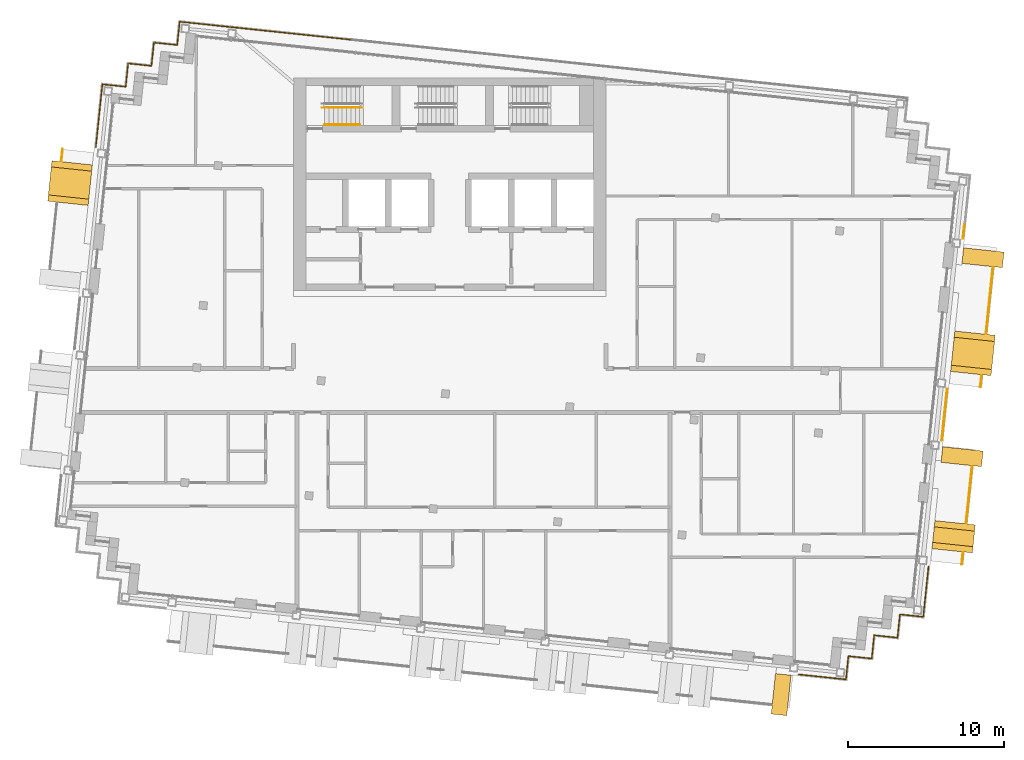
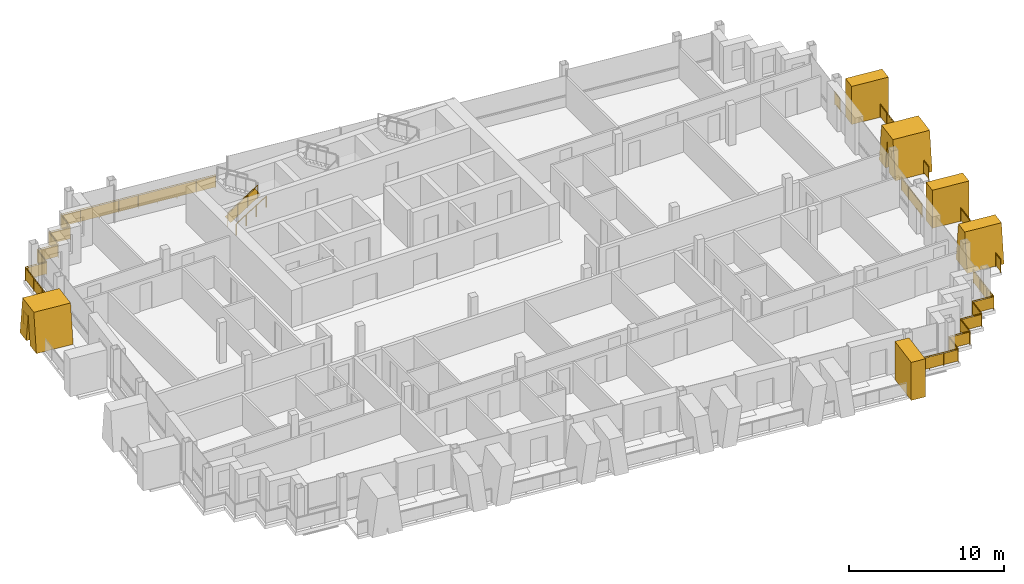
# One storey, part 14 of 16: 13 railings, 6 shading devices.
"""IFC4 building model written with IfcOpenShell, lengths in metres."""

from ifc_helpers import new_model, si_unit, direction, frame, origin, origin_2d, place, context, subcontext, project, spatial, polyline, rectangle, circle, outline, extrude, material, layer, layer_set, type_object, element, save


model = new_model("IFC4")

# Units and contexts
model_context = context("Model", 3, precision=1e-05, world=origin(), true_north=direction((0.0, 1.0)))
body_context = subcontext(model_context, "Body", "Model", "MODEL_VIEW")
ifc_project = project(units=[si_unit("LENGTHUNIT", "METRE"), si_unit("AREAUNIT", "SQUARE_METRE"), si_unit("VOLUMEUNIT", "CUBIC_METRE"), si_unit("PLANEANGLEUNIT", "RADIAN"), si_unit("MASSUNIT", "GRAM", prefix="KILO")], contexts=[model_context])

# Site, building, storey
site_placement = place(None, origin())
site = spatial("IfcSite", under=ifc_project, at=site_placement, CompositionType="ELEMENT")
building_placement = place(site_placement, origin())
building = spatial("IfcBuilding", under=site, at=building_placement, Name="Vidyagriha Tower", CompositionType="ELEMENT")
storey_placement = place(building_placement, frame((0.0, 0.0, 259.5)))
storey = spatial("IfcBuildingStorey", under=building, at=storey_placement, Name="L67", CompositionType="ELEMENT", Elevation=259.5)

# Railings
ifc_material_1 = material(Name="Steel ASTM A500 Grade C black painted", Category="steel")
railing_type_1 = type_object("IfcRailingType", Name="Balcony guard 1100", PredefinedType="BALUSTRADE", material=ifc_material_1)
railing_1_placement = place(storey_placement, frame((-24.7763671875, 15.435302734375, 0.0)))
element("IfcRailing", 1, at=railing_1_placement, inside=storey, type_object=railing_type_1, Name="Balcony guard L67 R14.1-1", PredefinedType="BALUSTRADE", context=body_context, shape_type="SweptSolid", body=[
    extrude(circle(Radius=0.02490234375, at=origin_2d()), frame((0.0, 0.0, 1.0751953125), z_axis=(-0.104464556241, -0.994528610192, 0.0), x_axis=(0.994528610192, -0.104464556241, 0.0)), (0.0, 0.0, 1.0), 0.750244140625),
    extrude(circle(Radius=0.02001953125, at=origin_2d()), origin(), (0.0, 0.0, 1.0), 1.050048828125),
    extrude(circle(Radius=0.02001953125, at=origin_2d()), frame((-0.078369140625, -0.74609375, 0.0)), (0.0, 0.0, 1.0), 1.050048828125),
    extrude(rectangle(XDim=0.010009765625, YDim=0.900146484375, at=origin_2d()), frame((0.0, 0.0, 0.550048828125), z_axis=(-0.104464556241, -0.994528610192, 0.0), x_axis=(0.994528610192, -0.104464556241, 0.0)), (0.0, 0.0, 1.0), 0.750244140625),
])
railing_2_placement = place(storey_placement, frame((32.762451171875, -11.124755859375, 0.0)))
element("IfcRailing", 2, at=railing_2_placement, inside=storey, type_object=railing_type_1, Name="Balcony guard L67 R28.1-1", PredefinedType="BALUSTRADE", context=body_context, shape_type="SweptSolid", body=[
    extrude(circle(Radius=0.02490234375, at=origin_2d()), frame((0.0, 0.0, 1.0751953125), z_axis=(0.104498377516, 0.994525057048, 0.0), x_axis=(-0.994525057048, 0.104498377516, 0.0)), (0.0, 0.0, 1.0), 0.75),
    extrude(circle(Radius=0.02001953125, at=origin_2d()), origin(), (0.0, 0.0, 1.0), 1.050048828125),
    extrude(circle(Radius=0.02001953125, at=origin_2d()), frame((0.078369140625, 0.745849609375, 0.0)), (0.0, 0.0, 1.0), 1.050048828125),
    extrude(rectangle(XDim=0.010009765625, YDim=0.900146484375, at=origin_2d()), frame((0.0, 0.0, 0.550048828125), z_axis=(0.104498377516, 0.994525057048, 0.0), x_axis=(-0.994525057048, 0.104498377516, 0.0)), (0.0, 0.0, 1.0), 0.75),
])
railing_3_placement = place(storey_placement, frame((33.03955078125, -8.4892578125, 0.0)))
element("IfcRailing", 3, at=railing_3_placement, inside=storey, type_object=railing_type_1, Name="Balcony guard L67 R28.1-2", PredefinedType="BALUSTRADE", context=body_context, shape_type="SweptSolid", body=[
    extrude(circle(Radius=0.02490234375, at=origin_2d()), frame((0.0, 0.0, 1.0751953125), z_axis=(0.104548987786, 0.99451973794, 0.0), x_axis=(-0.99451973794, 0.104548987786, 0.0)), (0.0, 0.0, 1.0), 3.64990234375),
    extrude(circle(Radius=0.02001953125, at=origin_2d()), origin(), (0.0, 0.0, 1.0), 1.050048828125),
    extrude(circle(Radius=0.02001953125, at=origin_2d()), frame((0.095458984375, 0.907470703125, 0.0)), (0.0, 0.0, 1.0), 1.050048828125),
    extrude(circle(Radius=0.02001953125, at=origin_2d()), frame((0.19091796875, 1.81494140625, 0.0)), (0.0, 0.0, 1.0), 1.050048828125),
    extrude(circle(Radius=0.02001953125, at=origin_2d()), frame((0.2861328125, 2.722412109375, 0.0)), (0.0, 0.0, 1.0), 1.050048828125),
    extrude(circle(Radius=0.02001953125, at=origin_2d()), frame((0.381591796875, 3.6298828125, 0.0)), (0.0, 0.0, 1.0), 1.050048828125),
    extrude(rectangle(XDim=0.010009765625, YDim=0.900146484375, at=origin_2d()), frame((0.0, 0.0, 0.550048828125), z_axis=(0.104548987786, 0.99451973794, 0.0), x_axis=(-0.99451973794, 0.104548987786, 0.0)), (0.0, 0.0, 1.0), 3.64990234375),
])
railing_4_placement = place(storey_placement, frame((33.9541015625, 0.212646484375, 0.0)))
element("IfcRailing", 4, at=railing_4_placement, inside=storey, type_object=railing_type_1, Name="Balcony guard L67 R28.2-1", PredefinedType="BALUSTRADE", context=body_context, shape_type="SweptSolid", body=[
    extrude(circle(Radius=0.02490234375, at=origin_2d()), frame((0.0, 0.0, 1.0751953125), z_axis=(0.104498377516, 0.994525057048, 0.0), x_axis=(-0.994525057048, 0.104498377516, 0.0)), (0.0, 0.0, 1.0), 0.75),
    extrude(circle(Radius=0.02001953125, at=origin_2d()), origin(), (0.0, 0.0, 1.0), 1.050048828125),
    extrude(circle(Radius=0.02001953125, at=origin_2d()), frame((0.078369140625, 0.745849609375, 0.0)), (0.0, 0.0, 1.0), 1.050048828125),
    extrude(rectangle(XDim=0.010009765625, YDim=0.900146484375, at=origin_2d()), frame((0.0, 0.0, 0.550048828125), z_axis=(0.104498377516, 0.994525057048, 0.0), x_axis=(-0.994525057048, 0.104498377516, 0.0)), (0.0, 0.0, 1.0), 0.75),
])
railing_5_placement = place(storey_placement, frame((34.314697265625, 3.643798828125, 0.0)))
element("IfcRailing", 5, at=railing_5_placement, inside=storey, type_object=railing_type_1, Name="Balcony guard L67 R28.2-2", PredefinedType="BALUSTRADE", context=body_context, shape_type="SweptSolid", body=[
    extrude(circle(Radius=0.02490234375, at=origin_2d()), frame((0.0, 0.0, 1.0751953125), z_axis=(0.104547233792, 0.994519922328, 0.0), x_axis=(-0.994519922328, 0.104547233792, 0.0)), (0.0, 0.0, 1.0), 4.25),
    extrude(circle(Radius=0.02001953125, at=origin_2d()), origin(), (0.0, 0.0, 1.0), 1.050048828125),
    extrude(circle(Radius=0.02001953125, at=origin_2d()), frame((0.111083984375, 1.056640625, 0.0)), (0.0, 0.0, 1.0), 1.050048828125),
    extrude(circle(Radius=0.02001953125, at=origin_2d()), frame((0.22216796875, 2.11328125, 0.0)), (0.0, 0.0, 1.0), 1.050048828125),
    extrude(circle(Radius=0.02001953125, at=origin_2d()), frame((0.333251953125, 3.170166015625, 0.0)), (0.0, 0.0, 1.0), 1.050048828125),
    extrude(circle(Radius=0.02001953125, at=origin_2d()), frame((0.4443359375, 4.226806640625, 0.0)), (0.0, 0.0, 1.0), 1.050048828125),
    extrude(rectangle(XDim=0.010009765625, YDim=0.900146484375, at=origin_2d()), frame((0.0, 0.0, 0.550048828125), z_axis=(0.104547233792, 0.994519922328, 0.0), x_axis=(-0.994519922328, 0.104547233792, 0.0)), (0.0, 0.0, 1.0), 4.25),
])

# Shading devices
ifc_material_2 = material(Name="Precast concrete C40/50 with buff brick facing", Category="concrete")
ifc_layer_1 = layer(ifc_material_2, 1.0)
ifc_layer_set_1 = layer_set([ifc_layer_1], Name="Precast concrete C40/50 with buff brick facing")
shading_device_type_1 = type_object("IfcShadingDeviceType", Name="Brick-faced blade fin forking 8 degrees", PredefinedType="USERDEFINED", material=ifc_layer_set_1)
shading_device_1_placement = place(storey_placement, frame((-24.163818359375, 14.56640625, 0.0), z_axis=(0.0, 0.0, 1.0), x_axis=(-0.104606575594, -0.99451368233, 0.0)))
element("IfcShadingDevice", 6, at=shading_device_1_placement, inside=storey, type_object=shading_device_type_1, Name="Forked blade fin L67 R14.330a", ObjectType="BLADE FIN", PredefinedType="USERDEFINED", context=body_context, shape_type="SweptSolid", body=[
    extrude(outline(polyline([(1.0, 0.0), (1.300048828125, 2.25), (1.60009765625, 0.0), (2.60009765625, 0.0), (2.199951171875, 3.0), (0.39990234375, 3.0), (0.0, 0.0), (1.0, 0.0)])), frame((0.0, 1.300048828125, 0.0), z_axis=(0.0, -1.0, 0.0), x_axis=(1.0, 0.0, 0.0)), (0.0, 0.0, 1.0), 2.60009765625),
])
shading_device_2_placement = place(storey_placement, frame((32.14990234375, -10.256103515625, 0.0), z_axis=(0.0, 0.0, 1.0), x_axis=(0.104564767339, 0.994518078987, 0.0)))
element("IfcShadingDevice", 7, at=shading_device_2_placement, inside=storey, type_object=shading_device_type_1, Name="Forked blade fin L67 R28.250a", ObjectType="BLADE FIN", PredefinedType="USERDEFINED", context=body_context, shape_type="SweptSolid", body=[
    extrude(outline(polyline([(0.0, 0.0), (1.800048828125, 0.0), (1.39990234375, 3.0), (0.39990234375, 3.0), (0.0, 0.0)])), frame((0.0, 1.300048828125, 0.0), z_axis=(0.0, -1.0, 0.0), x_axis=(1.0, 0.0, 0.0)), (0.0, 0.0, 1.0), 2.60009765625),
])
shading_device_3_placement = place(storey_placement, frame((33.341552734375, 1.08154296875, 0.0), z_axis=(0.0, 0.0, 1.0), x_axis=(0.104513699976, 0.994523446942, 0.0)))
element("IfcShadingDevice", 8, at=shading_device_3_placement, inside=storey, type_object=shading_device_type_1, Name="Forked blade fin L67 R28.1390a", ObjectType="BLADE FIN", PredefinedType="USERDEFINED", context=body_context, shape_type="SweptSolid", body=[
    extrude(outline(polyline([(1.0, 0.0), (1.300048828125, 2.25), (1.60009765625, 0.0), (2.60009765625, 0.0), (2.199951171875, 3.0), (0.39990234375, 3.0), (0.0, 0.0), (1.0, 0.0)])), frame((0.0, 1.300048828125, 0.0), z_axis=(0.0, -1.0, 0.0), x_axis=(1.0, 0.0, 0.0)), (0.0, 0.0, 1.0), 2.60009765625),
])
ifc_material_3 = material(Name="Precast concrete C40/50 with buff brick facing", Category="concrete")
ifc_layer_2 = layer(ifc_material_3, 1.0)
ifc_layer_set_2 = layer_set([ifc_layer_2], Name="Precast concrete C40/50 with buff brick facing")
shading_device_type_2 = type_object("IfcShadingDeviceType", Name="Brick-faced blade fin stem 1000", PredefinedType="USERDEFINED", material=ifc_layer_set_2)
for number, where, z_axis, x_axis, name in (
    (9, (20.70556640625, -19.409912109375, 0.0), (0.0, 0.0, 1.0), (0.994524168223, -0.104506836238, 0.0), "Stem blade fin L67 R21.4230a"),
    (10, (32.72998046875, -4.736328125, 0.0), (0.0, 0.0, 1.0), (0.104748335039, 0.99449876134, 0.0), "Stem blade fin L67 R28.990a"),
    (11, (34.068115234375, 7.993408203125, 0.0), (0.0, 0.0, 1.0), (0.104481464157, 0.994526834051, 0.0), "Stem blade fin L67 R28.2290a"),
):
    element("IfcShadingDevice", number, at=place(storey_placement, frame(where, z_axis=z_axis, x_axis=x_axis)), inside=storey, type_object=shading_device_type_2, Name=name, ObjectType="BLADE FIN", PredefinedType="USERDEFINED", context=body_context, shape_type="SweptSolid", body=[
        extrude(outline(polyline([(0.0, 0.0), (1.0, 0.0), (1.0, 3.0), (0.0, 3.0), (0.0, 0.0)])), frame((0.0, 1.300048828125, 0.0), z_axis=(0.0, -1.0, 0.0), x_axis=(1.0, 0.0, 0.0)), (0.0, 0.0, 1.0), 2.60009765625),
    ])

# Railings
ifc_material_4 = material(Name="Steel ASTM A500 Grade C black painted", Category="steel")
railing_type_2 = type_object("IfcRailingType", Name="Gallery guard 1100", PredefinedType="GUARDRAIL", material=ifc_material_4)
railing_6_placement = place(storey_placement, frame((-22.650390625, 15.57373046875, 0.0)))
element("IfcRailing", 12, at=railing_6_placement, inside=storey, type_object=railing_type_2, Name="Gallery guard L67 4", PredefinedType="GUARDRAIL", context=body_context, shape_type="SweptSolid", body=[
    extrude(circle(Radius=0.02490234375, at=origin_2d()), frame((0.0, 0.0, 1.0751953125), z_axis=(0.104546370699, 0.994520013058, 0.0), x_axis=(-0.994520013058, 0.104546370699, 0.0)), (0.0, 0.0, 1.0), 4.0400390625),
    extrude(circle(Radius=0.02490234375, at=origin_2d()), frame((0.42236328125, 4.017822265625, 1.0751953125), z_axis=(0.994526834051, -0.104481464157, 0.0), x_axis=(0.104481464157, 0.994526834051, 0.0)), (0.0, 0.0, 1.0), 1.500244140625),
    extrude(circle(Radius=0.02490234375, at=origin_2d()), frame((1.914306640625, 3.861083984375, 1.0751953125), z_axis=(0.104498377516, 0.994525057048, 0.0), x_axis=(-0.994525057048, 0.104498377516, 0.0)), (0.0, 0.0, 1.0), 1.5),
    extrude(circle(Radius=0.02490234375, at=origin_2d()), frame((2.071044921875, 5.352783203125, 1.0751953125), z_axis=(0.994525057048, -0.104498377516, 0.0), x_axis=(0.104498377516, 0.994525057048, 0.0)), (0.0, 0.0, 1.0), 1.5),
    extrude(circle(Radius=0.02490234375, at=origin_2d()), frame((3.562744140625, 5.196044921875, 1.0751953125), z_axis=(0.104498377516, 0.994525057048, 0.0), x_axis=(-0.994525057048, 0.104498377516, 0.0)), (0.0, 0.0, 1.0), 1.5),
    extrude(circle(Radius=0.02490234375, at=origin_2d()), frame((3.719482421875, 6.687744140625, 1.0751953125), z_axis=(0.994525057048, -0.104498377516, 0.0), x_axis=(0.104498377516, 0.994525057048, 0.0)), (0.0, 0.0, 1.0), 1.5),
    extrude(circle(Radius=0.02490234375, at=origin_2d()), frame((5.211181640625, 6.531005859375, 1.0751953125), z_axis=(0.10449150849, 0.994525778778, 0.0), x_axis=(-0.994525778778, 0.10449150849, 0.0)), (0.0, 0.0, 1.0), 0.460205078125),
    extrude(circle(Radius=0.02001953125, at=origin_2d()), origin(), (0.0, 0.0, 1.0), 1.050048828125),
    extrude(circle(Radius=0.02001953125, at=origin_2d()), frame((0.140869140625, 1.33935546875, 0.0)), (0.0, 0.0, 1.0), 1.050048828125),
    extrude(circle(Radius=0.02001953125, at=origin_2d()), frame((0.281494140625, 2.678466796875, 0.0)), (0.0, 0.0, 1.0), 1.050048828125),
    extrude(circle(Radius=0.02001953125, at=origin_2d()), frame((0.42236328125, 4.017822265625, 0.0)), (0.0, 0.0, 1.0), 1.050048828125),
    extrude(circle(Radius=0.02001953125, at=origin_2d()), frame((1.16845703125, 3.939453125, 0.0)), (0.0, 0.0, 1.0), 1.050048828125),
    extrude(circle(Radius=0.02001953125, at=origin_2d()), frame((1.914306640625, 3.861083984375, 0.0)), (0.0, 0.0, 1.0), 1.050048828125),
    extrude(circle(Radius=0.02001953125, at=origin_2d()), frame((2.071044921875, 5.352783203125, 0.0)), (0.0, 0.0, 1.0), 1.050048828125),
    extrude(circle(Radius=0.02001953125, at=origin_2d()), frame((3.562744140625, 5.196044921875, 0.0)), (0.0, 0.0, 1.0), 1.050048828125),
    extrude(circle(Radius=0.02001953125, at=origin_2d()), frame((3.719482421875, 6.687744140625, 0.0)), (0.0, 0.0, 1.0), 1.050048828125),
    extrude(circle(Radius=0.02001953125, at=origin_2d()), frame((5.211181640625, 6.531005859375, 0.0)), (0.0, 0.0, 1.0), 1.050048828125),
    extrude(circle(Radius=0.02001953125, at=origin_2d()), frame((5.25927734375, 6.98876953125, 0.0)), (0.0, 0.0, 1.0), 1.050048828125),
    extrude(rectangle(XDim=0.010009765625, YDim=0.900146484375, at=origin_2d()), frame((0.0, 0.0, 0.550048828125), z_axis=(0.104546370699, 0.994520013058, 0.0), x_axis=(-0.994520013058, 0.104546370699, 0.0)), (0.0, 0.0, 1.0), 4.0400390625),
    extrude(rectangle(XDim=0.010009765625, YDim=0.900146484375, at=origin_2d()), frame((0.42236328125, 4.017822265625, 0.550048828125), z_axis=(0.994526834051, -0.104481464157, 0.0), x_axis=(0.104481464157, 0.994526834051, 0.0)), (0.0, 0.0, 1.0), 1.500244140625),
    extrude(rectangle(XDim=0.010009765625, YDim=0.900146484375, at=origin_2d()), frame((1.914306640625, 3.861083984375, 0.550048828125), z_axis=(0.104498377516, 0.994525057048, 0.0), x_axis=(-0.994525057048, 0.104498377516, 0.0)), (0.0, 0.0, 1.0), 1.5),
    extrude(rectangle(XDim=0.010009765625, YDim=0.900146484375, at=origin_2d()), frame((2.071044921875, 5.352783203125, 0.550048828125), z_axis=(0.994525057048, -0.104498377516, 0.0), x_axis=(0.104498377516, 0.994525057048, 0.0)), (0.0, 0.0, 1.0), 1.5),
    extrude(rectangle(XDim=0.010009765625, YDim=0.900146484375, at=origin_2d()), frame((3.562744140625, 5.196044921875, 0.550048828125), z_axis=(0.104498377516, 0.994525057048, 0.0), x_axis=(-0.994525057048, 0.104498377516, 0.0)), (0.0, 0.0, 1.0), 1.5),
    extrude(rectangle(XDim=0.010009765625, YDim=0.900146484375, at=origin_2d()), frame((3.719482421875, 6.687744140625, 0.550048828125), z_axis=(0.994525057048, -0.104498377516, 0.0), x_axis=(0.104498377516, 0.994525057048, 0.0)), (0.0, 0.0, 1.0), 1.5),
    extrude(rectangle(XDim=0.010009765625, YDim=0.900146484375, at=origin_2d()), frame((5.211181640625, 6.531005859375, 0.550048828125), z_axis=(0.10449150849, 0.994525778778, 0.0), x_axis=(-0.994525778778, 0.10449150849, 0.0)), (0.0, 0.0, 1.0), 0.460205078125),
])
railing_7_placement = place(storey_placement, frame((-17.39111328125, 22.5625, 0.0)))
element("IfcRailing", 13, at=railing_7_placement, inside=storey, type_object=railing_type_2, Name="Gallery guard L67 5", PredefinedType="GUARDRAIL", context=body_context, shape_type="SweptSolid", body=[
    extrude(circle(Radius=0.02490234375, at=origin_2d()), frame((0.0, 0.0, 1.0751953125), z_axis=(0.104733680268, 0.994500304785, 0.0), x_axis=(-0.994500304785, 0.104733680268, 0.0)), (0.0, 0.0, 1.0), 1.03955078125),
    extrude(circle(Radius=0.02490234375, at=origin_2d()), frame((0.10888671875, 1.033935546875, 1.0751953125), z_axis=(0.994520943118, -0.104537522925, 0.0), x_axis=(0.104537522925, 0.994520943118, 0.0)), (0.0, 0.0, 1.0), 10.960205078125),
    extrude(circle(Radius=0.02001953125, at=origin_2d()), origin(), (0.0, 0.0, 1.0), 1.050048828125),
    extrude(circle(Radius=0.02001953125, at=origin_2d()), frame((0.10888671875, 1.033935546875, 0.0)), (0.0, 0.0, 1.0), 1.050048828125),
    extrude(circle(Radius=0.02001953125, at=origin_2d()), frame((1.471435546875, 0.890625, 0.0)), (0.0, 0.0, 1.0), 1.050048828125),
    extrude(circle(Radius=0.02001953125, at=origin_2d()), frame((2.833984375, 0.74755859375, 0.0)), (0.0, 0.0, 1.0), 1.050048828125),
    extrude(circle(Radius=0.02001953125, at=origin_2d()), frame((4.196533203125, 0.604248046875, 0.0)), (0.0, 0.0, 1.0), 1.050048828125),
    extrude(circle(Radius=0.02001953125, at=origin_2d()), frame((5.55908203125, 0.4609375, 0.0)), (0.0, 0.0, 1.0), 1.050048828125),
    extrude(circle(Radius=0.02001953125, at=origin_2d()), frame((6.92138671875, 0.31787109375, 0.0)), (0.0, 0.0, 1.0), 1.050048828125),
    extrude(circle(Radius=0.02001953125, at=origin_2d()), frame((8.283935546875, 0.174560546875, 0.0)), (0.0, 0.0, 1.0), 1.050048828125),
    extrude(circle(Radius=0.02001953125, at=origin_2d()), frame((9.646484375, 0.031494140625, 0.0)), (0.0, 0.0, 1.0), 1.050048828125),
    extrude(circle(Radius=0.02001953125, at=origin_2d()), frame((11.009033203125, -0.11181640625, 0.0)), (0.0, 0.0, 1.0), 1.050048828125),
    extrude(rectangle(XDim=0.010009765625, YDim=0.900146484375, at=origin_2d()), frame((0.0, 0.0, 0.550048828125), z_axis=(0.104733680268, 0.994500304785, 0.0), x_axis=(-0.994500304785, 0.104733680268, 0.0)), (0.0, 0.0, 1.0), 1.03955078125),
    extrude(rectangle(XDim=0.010009765625, YDim=0.900146484375, at=origin_2d()), frame((0.10888671875, 1.033935546875, 0.550048828125), z_axis=(0.994520943118, -0.104537522925, 0.0), x_axis=(0.104537522925, 0.994520943118, 0.0)), (0.0, 0.0, 1.0), 10.960205078125),
])
railing_8_placement = place(storey_placement, frame((32.93603515625, 10.615966796875, 0.0)))
element("IfcRailing", 14, at=railing_8_placement, inside=storey, type_object=railing_type_2, Name="Gallery guard L67 10", PredefinedType="GUARDRAIL", context=body_context, shape_type="SweptSolid", body=[
    extrude(circle(Radius=0.02490234375, at=origin_2d()), frame((0.0, 0.0, 1.0751953125), z_axis=(-0.104612561624, -0.99451305268, 0.0), x_axis=(0.99451305268, -0.104612561624, 0.0)), (0.0, 0.0, 1.0), 0.8798828125),
    extrude(circle(Radius=0.02001953125, at=origin_2d()), origin(), (0.0, 0.0, 1.0), 1.050048828125),
    extrude(circle(Radius=0.02001953125, at=origin_2d()), frame((-0.092041015625, -0.875, 0.0)), (0.0, 0.0, 1.0), 1.050048828125),
    extrude(rectangle(XDim=0.010009765625, YDim=0.900146484375, at=origin_2d()), frame((0.0, 0.0, 0.550048828125), z_axis=(-0.104612561624, -0.99451305268, 0.0), x_axis=(0.99451305268, -0.104612561624, 0.0)), (0.0, 0.0, 1.0), 0.8798828125),
])
railing_9_placement = place(storey_placement, frame((30.636474609375, -11.263427734375, 0.0)))
element("IfcRailing", 15, at=railing_9_placement, inside=storey, type_object=railing_type_2, Name="Gallery guard L67 11", PredefinedType="GUARDRAIL", context=body_context, shape_type="SweptSolid", body=[
    extrude(circle(Radius=0.02490234375, at=origin_2d()), frame((0.0, 0.0, 1.0751953125), z_axis=(-0.104590643799, -0.994515357966, 0.0), x_axis=(0.994515357966, -0.104590643799, 0.0)), (0.0, 0.0, 1.0), 3.239990234375),
    extrude(circle(Radius=0.02490234375, at=origin_2d()), frame((-0.3388671875, -3.22216796875, 1.0751953125), z_axis=(-0.994525057048, 0.104498377516, 0.0), x_axis=(-0.104498377516, -0.994525057048, 0.0)), (0.0, 0.0, 1.0), 1.5),
    extrude(circle(Radius=0.02490234375, at=origin_2d()), frame((-1.83056640625, -3.0654296875, 1.0751953125), z_axis=(-0.104498377516, -0.994525057048, 0.0), x_axis=(0.994525057048, -0.104498377516, 0.0)), (0.0, 0.0, 1.0), 1.5),
    extrude(circle(Radius=0.02490234375, at=origin_2d()), frame((-1.9873046875, -4.55712890625, 1.0751953125), z_axis=(-0.994525057048, 0.104498377516, 0.0), x_axis=(-0.104498377516, -0.994525057048, 0.0)), (0.0, 0.0, 1.0), 1.5),
    extrude(circle(Radius=0.02490234375, at=origin_2d()), frame((-3.47900390625, -4.400390625, 1.0751953125), z_axis=(-0.104659366031, -0.994508128223, 0.0), x_axis=(0.994508128223, -0.104659366031, 0.0)), (0.0, 0.0, 1.0), 1.5),
    extrude(circle(Radius=0.02490234375, at=origin_2d()), frame((-3.635986328125, -5.89208984375, 1.0751953125), z_axis=(-0.994525057048, 0.104498377516, 0.0), x_axis=(-0.104498377516, -0.994525057048, 0.0)), (0.0, 0.0, 1.0), 1.5),
    extrude(circle(Radius=0.02490234375, at=origin_2d()), frame((-5.127685546875, -5.7353515625, 1.0751953125), z_axis=(-0.104432637393, -0.994531962406, 0.0), x_axis=(0.994531962406, -0.104432637393, 0.0)), (0.0, 0.0, 1.0), 1.260009765625),
    extrude(circle(Radius=0.02001953125, at=origin_2d()), origin(), (0.0, 0.0, 1.0), 1.050048828125),
    extrude(circle(Radius=0.02001953125, at=origin_2d()), frame((-0.113037109375, -1.073974609375, 0.0)), (0.0, 0.0, 1.0), 1.050048828125),
    extrude(circle(Radius=0.02001953125, at=origin_2d()), frame((-0.225830078125, -2.148193359375, 0.0)), (0.0, 0.0, 1.0), 1.050048828125),
    extrude(circle(Radius=0.02001953125, at=origin_2d()), frame((-0.3388671875, -3.22216796875, 0.0)), (0.0, 0.0, 1.0), 1.050048828125),
    extrude(circle(Radius=0.02001953125, at=origin_2d()), frame((-1.83056640625, -3.0654296875, 0.0)), (0.0, 0.0, 1.0), 1.050048828125),
    extrude(circle(Radius=0.02001953125, at=origin_2d()), frame((-1.9873046875, -4.55712890625, 0.0)), (0.0, 0.0, 1.0), 1.050048828125),
    extrude(circle(Radius=0.02001953125, at=origin_2d()), frame((-3.47900390625, -4.400390625, 0.0)), (0.0, 0.0, 1.0), 1.050048828125),
    extrude(circle(Radius=0.02001953125, at=origin_2d()), frame((-3.635986328125, -5.89208984375, 0.0)), (0.0, 0.0, 1.0), 1.050048828125),
    extrude(circle(Radius=0.02001953125, at=origin_2d()), frame((-5.127685546875, -5.7353515625, 0.0)), (0.0, 0.0, 1.0), 1.050048828125),
    extrude(circle(Radius=0.02001953125, at=origin_2d()), frame((-5.25927734375, -6.988525390625, 0.0)), (0.0, 0.0, 1.0), 1.050048828125),
    extrude(rectangle(XDim=0.010009765625, YDim=0.900146484375, at=origin_2d()), frame((0.0, 0.0, 0.550048828125), z_axis=(-0.104590643799, -0.994515357966, 0.0), x_axis=(0.994515357966, -0.104590643799, 0.0)), (0.0, 0.0, 1.0), 3.239990234375),
    extrude(rectangle(XDim=0.010009765625, YDim=0.900146484375, at=origin_2d()), frame((-0.3388671875, -3.22216796875, 0.550048828125), z_axis=(-0.994525057048, 0.104498377516, 0.0), x_axis=(-0.104498377516, -0.994525057048, 0.0)), (0.0, 0.0, 1.0), 1.5),
    extrude(rectangle(XDim=0.010009765625, YDim=0.900146484375, at=origin_2d()), frame((-1.83056640625, -3.0654296875, 0.550048828125), z_axis=(-0.104498377516, -0.994525057048, 0.0), x_axis=(0.994525057048, -0.104498377516, 0.0)), (0.0, 0.0, 1.0), 1.5),
    extrude(rectangle(XDim=0.010009765625, YDim=0.900146484375, at=origin_2d()), frame((-1.9873046875, -4.55712890625, 0.550048828125), z_axis=(-0.994525057048, 0.104498377516, 0.0), x_axis=(-0.104498377516, -0.994525057048, 0.0)), (0.0, 0.0, 1.0), 1.5),
    extrude(rectangle(XDim=0.010009765625, YDim=0.900146484375, at=origin_2d()), frame((-3.47900390625, -4.400390625, 0.550048828125), z_axis=(-0.104659366031, -0.994508128223, 0.0), x_axis=(0.994508128223, -0.104659366031, 0.0)), (0.0, 0.0, 1.0), 1.5),
    extrude(rectangle(XDim=0.010009765625, YDim=0.900146484375, at=origin_2d()), frame((-3.635986328125, -5.89208984375, 0.550048828125), z_axis=(-0.994525057048, 0.104498377516, 0.0), x_axis=(-0.104498377516, -0.994525057048, 0.0)), (0.0, 0.0, 1.0), 1.5),
    extrude(rectangle(XDim=0.010009765625, YDim=0.900146484375, at=origin_2d()), frame((-5.127685546875, -5.7353515625, 0.550048828125), z_axis=(-0.104432637393, -0.994531962406, 0.0), x_axis=(0.994531962406, -0.104432637393, 0.0)), (0.0, 0.0, 1.0), 1.260009765625),
])
railing_10_placement = place(storey_placement, frame((25.377197265625, -18.251953125, 0.0)))
element("IfcRailing", 16, at=railing_10_placement, inside=storey, type_object=railing_type_2, Name="Gallery guard L67 12", PredefinedType="GUARDRAIL", context=body_context, shape_type="SweptSolid", body=[
    extrude(circle(Radius=0.02490234375, at=origin_2d()), frame((0.0, 0.0, 1.0751953125), z_axis=(-0.104843742972, -0.994488707608, 0.0), x_axis=(0.994488707608, -0.104843742972, 0.0)), (0.0, 0.0, 1.0), 0.23974609375),
    extrude(circle(Radius=0.02490234375, at=origin_2d()), frame((-0.025146484375, -0.238525390625, 1.0751953125), z_axis=(-0.994518646122, 0.104559373163, 0.0), x_axis=(-0.104559373163, -0.994518646122, 0.0)), (0.0, 0.0, 1.0), 3.0400390625),
    extrude(circle(Radius=0.02001953125, at=origin_2d()), origin(), (0.0, 0.0, 1.0), 1.050048828125),
    extrude(circle(Radius=0.02001953125, at=origin_2d()), frame((-0.025146484375, -0.238525390625, 0.0)), (0.0, 0.0, 1.0), 1.050048828125),
    extrude(circle(Radius=0.02001953125, at=origin_2d()), frame((-1.032958984375, -0.132568359375, 0.0)), (0.0, 0.0, 1.0), 1.050048828125),
    extrude(circle(Radius=0.02001953125, at=origin_2d()), frame((-2.040771484375, -0.026611328125, 0.0)), (0.0, 0.0, 1.0), 1.050048828125),
    extrude(circle(Radius=0.02001953125, at=origin_2d()), frame((-3.048583984375, 0.079345703125, 0.0)), (0.0, 0.0, 1.0), 1.050048828125),
    extrude(rectangle(XDim=0.010009765625, YDim=0.900146484375, at=origin_2d()), frame((0.0, 0.0, 0.550048828125), z_axis=(-0.104843742972, -0.994488707608, 0.0), x_axis=(0.994488707608, -0.104843742972, 0.0)), (0.0, 0.0, 1.0), 0.23974609375),
    extrude(rectangle(XDim=0.010009765625, YDim=0.900146484375, at=origin_2d()), frame((-0.025146484375, -0.238525390625, 0.550048828125), z_axis=(-0.994518646122, 0.104559373163, 0.0), x_axis=(-0.104559373163, -0.994518646122, 0.0)), (0.0, 0.0, 1.0), 3.0400390625),
])
railing_11_placement = place(storey_placement, frame((31.827880859375, 0.07421875, 0.0)))
element("IfcRailing", 17, at=railing_11_placement, inside=storey, type_object=railing_type_2, Name="Gallery guard L67 13", PredefinedType="GUARDRAIL", context=body_context, shape_type="SweptSolid", body=[
    extrude(circle(Radius=0.02490234375, at=origin_2d()), frame((0.0, 0.0, 1.0751953125), z_axis=(-0.104506547029, -0.994524198614, 0.0), x_axis=(0.994524198614, -0.104506547029, 0.0)), (0.0, 0.0, 1.0), 3.280029296875),
    extrude(circle(Radius=0.02001953125, at=origin_2d()), origin(), (0.0, 0.0, 1.0), 1.050048828125),
    extrude(circle(Radius=0.02001953125, at=origin_2d()), frame((-0.1142578125, -1.08740234375, 0.0)), (0.0, 0.0, 1.0), 1.050048828125),
    extrude(circle(Radius=0.02001953125, at=origin_2d()), frame((-0.228515625, -2.174560546875, 0.0)), (0.0, 0.0, 1.0), 1.050048828125),
    extrude(circle(Radius=0.02001953125, at=origin_2d()), frame((-0.3427734375, -3.261962890625, 0.0)), (0.0, 0.0, 1.0), 1.050048828125),
    extrude(rectangle(XDim=0.010009765625, YDim=0.900146484375, at=origin_2d()), frame((0.0, 0.0, 0.550048828125), z_axis=(-0.104506547029, -0.994524198614, 0.0), x_axis=(0.994524198614, -0.104506547029, 0.0)), (0.0, 0.0, 1.0), 3.280029296875),
])
ifc_material_5 = material(Name="Steel ASTM A500 Grade C", Category="steel")
railing_type_3 = type_object("IfcRailingType", Name="Stair guard 1100 mm, steel balustrade", PredefinedType="GUARDRAIL", material=ifc_material_5)
railing_12_placement = place(storey_placement, frame((-8.0, 18.10009765625, 0.177734375)))
element("IfcRailing", 18, at=railing_12_placement, inside=storey, type_object=railing_type_3, Name="L67 ST1 stair guard 1", PredefinedType="GUARDRAIL", context=body_context, shape_type="SweptSolid", body=[
    extrude(circle(Radius=0.02392578125, at=origin_2d()), frame((0.0, 0.0, 1.076171875), z_axis=(0.84418770128, 0.0, 0.536047689118), x_axis=(0.0, 1.0, 0.0)), (0.0, 0.0, 1.0), 2.6533203125),
    extrude(circle(Radius=0.02099609375, at=origin_2d()), origin(), (0.0, 0.0, 1.0), 1.052001953125),
    extrude(circle(Radius=0.02099609375, at=origin_2d()), frame((0.74658203125, 0.0, 0.47412109375)), (0.0, 0.0, 1.0), 1.052001953125),
    extrude(circle(Radius=0.02099609375, at=origin_2d()), frame((1.493408203125, 0.0, 0.9482421875)), (0.0, 0.0, 1.0), 1.052001953125),
    extrude(circle(Radius=0.02099609375, at=origin_2d()), frame((2.239990234375, 0.0, 1.42236328125)), (0.0, 0.0, 1.0), 1.052001953125),
    extrude(rectangle(XDim=0.010009765625, YDim=0.761474609375, at=origin_2d()), frame((0.0, 0.0, 0.551025390625), z_axis=(0.84418770128, 0.0, 0.536047689118), x_axis=(0.0, 1.0, 0.0)), (0.0, 0.0, 1.0), 2.6533203125),
])
ifc_material_6 = material(Name="Steel ASTM A500 Grade C", Category="steel")
railing_type_4 = type_object("IfcRailingType", Name="Stair handrail 900 mm, steel", PredefinedType="HANDRAIL", material=ifc_material_6)
railing_13_placement = place(storey_placement, frame((-8.0, 17.0, 0.177734375)))
element("IfcRailing", 19, at=railing_13_placement, inside=storey, type_object=railing_type_4, Name="L67 ST1 stair handrail 1", PredefinedType="HANDRAIL", context=body_context, shape_type="SweptSolid", body=[
    extrude(circle(Radius=0.02392578125, at=origin_2d()), frame((0.0, 0.0, 0.8759765625), z_axis=(0.84418770128, 0.0, 0.536047689118), x_axis=(0.0, 1.0, 0.0)), (0.0, 0.0, 1.0), 2.6533203125),
    extrude(circle(Radius=0.02099609375, at=origin_2d()), origin(), (0.0, 0.0, 1.0), 0.851806640625),
    extrude(circle(Radius=0.02099609375, at=origin_2d()), frame((0.74658203125, 0.0, 0.47412109375)), (0.0, 0.0, 1.0), 0.851806640625),
    extrude(circle(Radius=0.02099609375, at=origin_2d()), frame((1.493408203125, 0.0, 0.9482421875)), (0.0, 0.0, 1.0), 0.851806640625),
    extrude(circle(Radius=0.02099609375, at=origin_2d()), frame((2.239990234375, 0.0, 1.42236328125)), (0.0, 0.0, 1.0), 0.851806640625),
])

save(model, "model.ifc")
